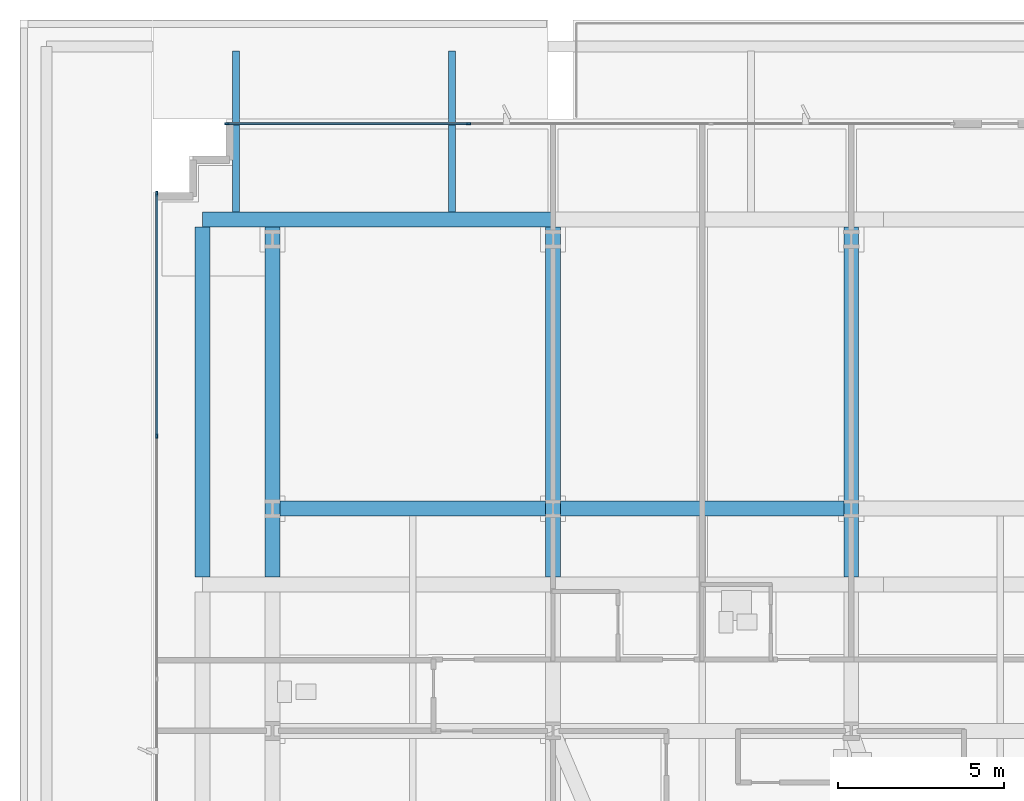
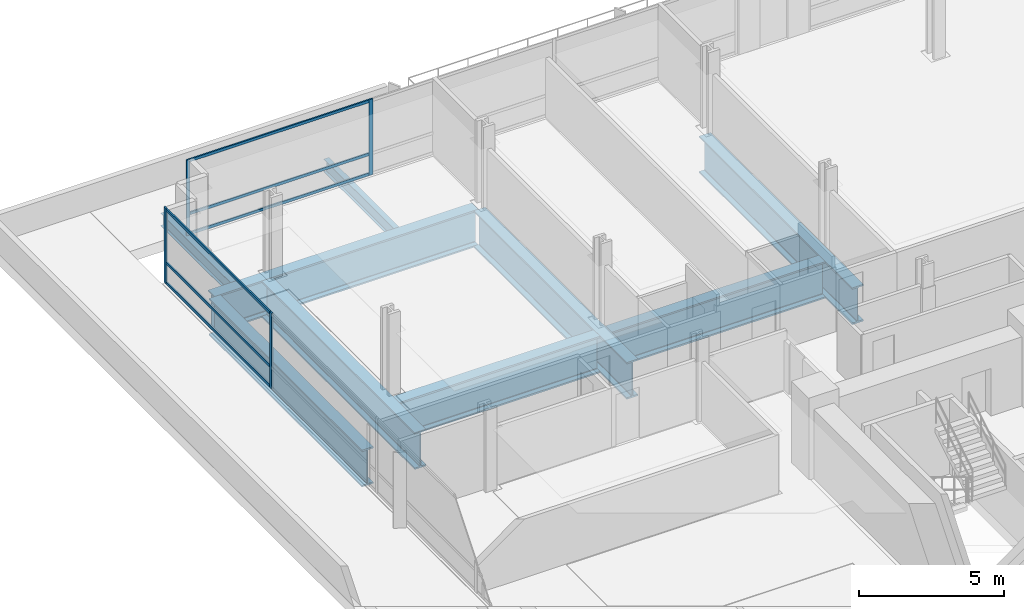
# One storey, part 11 of 25: 10 members, 9 beams, 2 elements without a shape of their own.
"""IFC4 building model written with IfcOpenShell, lengths in metres."""

from ifc_helpers import new_model, si_unit, direction, frame, origin, origin_2d, place, context, subcontext, project, spatial, rectangle, i_section, extrude, material, material_profile, profile_set, type_object, element, aggregate, save


model = new_model("IFC4")

# Units and contexts
model_context = context("Model", 3, precision=1e-05, world=origin(), true_north=direction((0.0, 1.0)))
body_context = subcontext(model_context, "Body", "Model", "MODEL_VIEW")
ifc_project = project(units=[si_unit("LENGTHUNIT", "METRE"), si_unit("AREAUNIT", "SQUARE_METRE"), si_unit("VOLUMEUNIT", "CUBIC_METRE"), si_unit("PLANEANGLEUNIT", "RADIAN"), si_unit("MASSUNIT", "GRAM", prefix="KILO")], contexts=[model_context])

# Site, building, storey
site_placement = place(None, origin())
site = spatial("IfcSite", under=ifc_project, at=site_placement, CompositionType="ELEMENT")
building_placement = place(site_placement, origin())
building = spatial("IfcBuilding", under=site, at=building_placement, Name="Solmavex Isthmus Hotel", CompositionType="ELEMENT")
storey_placement = place(building_placement, frame((0.0, 0.0, 26.39990234375)))
storey = spatial("IfcBuildingStorey", under=building, at=storey_placement, Name="L06", CompositionType="ELEMENT", Elevation=26.39990234375)

# Beams
ifc_material_1 = material(Name="Steel ASTM A992 Grade 50", Category="steel")
ifc_material_profile_1 = material_profile(ifc_material_1, i_section(OverallWidth=0.21240234375, OverallDepth=0.544189453125, WebThickness=0.01318359375, FlangeThickness=0.021240234375, FilletRadius=0.013916015625, at=origin_2d()), Name="W21X83")
ifc_profile_set_1 = profile_set([ifc_material_profile_1], Name="Steel ASTM A992 Grade 50")
beam_type_1 = type_object("IfcBeamType", Name="BM-BM-W21X83", PredefinedType="BEAM", material=ifc_profile_set_1)
for number, where, z_axis, x_axis, name in (
    (1, (-27.5, 17.72509765625, -0.72216796875), (0.0, 1.0, 0.0), (-1.0, 0.0, 0.0), "Podium Roof Terrace Framing Beam PRN-01"),
    (2, (-21.0, 17.72509765625, -0.72216796875), (0.0, 1.0, 0.0), (-1.0, 0.0, 0.0), "Podium Roof Terrace Framing Beam PRN-02"),
):
    element("IfcBeam", number, at=place(storey_placement, frame(where, z_axis=z_axis, x_axis=x_axis)), inside=storey, type_object=beam_type_1, Name=name, PredefinedType="BEAM", context=body_context, shape_type="SweptSolid", body=[
        extrude(i_section(OverallWidth=0.21240234375, OverallDepth=0.544189453125, WebThickness=0.01318359375, FlangeThickness=0.021240234375, FilletRadius=0.013916015625, at=origin_2d()), origin(), (0.0, 0.0, 1.0), 4.8349609375),
    ])
ifc_material_2 = material(Name="Steel ASTM A572 Grade 50", Category="steel")
ifc_material_profile_2 = material_profile(ifc_material_2, i_section(OverallWidth=0.449951171875, OverallDepth=1.550048828125, WebThickness=0.031982421875, FlangeThickness=0.06494140625, FilletRadius=0.030517578125, at=origin_2d()), Name="I1550X450")
ifc_profile_set_2 = profile_set([ifc_material_profile_2], Name="Steel ASTM A572 Grade 50")
beam_type_2 = type_object("IfcBeamType", Name="BM-TB-G1550", PredefinedType="BEAM", material=ifc_profile_set_2)
beam_1_placement = place(storey_placement, frame((-28.5, 17.5, -1.224853515625), z_axis=(1.0, 0.0, 0.0), x_axis=(0.0, 1.0, 0.0)))
element("IfcBeam", 3, at=beam_1_placement, inside=storey, type_object=beam_type_2, Name="Podium-to-Tower Mega Transfer Girder L06-MG10", PredefinedType="BEAM", context=body_context, shape_type="SweptSolid", body=[
    extrude(i_section(OverallWidth=0.449951171875, OverallDepth=1.550048828125, WebThickness=0.031982421875, FlangeThickness=0.06494140625, FilletRadius=0.030517578125, at=origin_2d()), origin(), (0.0, 0.0, 1.0), 10.5),
])
for number, where, z_axis, x_axis, name in (
    (4, (-28.5, 6.72509765625, -1.224853515625), (0.0, 1.0, 0.0), (-1.0, 0.0, 0.0), "Podium-to-Tower Mega Transfer Girder L06-MG21"),
    (5, (-26.39990234375, 6.72509765625, -1.224853515625), (0.0, 1.0, 0.0), (-1.0, 0.0, 0.0), "Tower Column Root Transfer Girder L06-MNS1C"),
    (6, (-17.951904296875, 6.72509765625, -1.224853515625), (0.0, 1.0, 0.0), (-1.0, 0.0, 0.0), "Tower Column Root Transfer Girder L06-MNS2C"),
    (7, (-8.97607421875, 6.72509765625, -1.224853515625), (0.0, 1.0, 0.0), (-1.0, 0.0, 0.0), "Tower Column Root Transfer Girder L06-MNS3C"),
):
    element("IfcBeam", number, at=place(storey_placement, frame(where, z_axis=z_axis, x_axis=x_axis)), inside=storey, type_object=beam_type_2, Name=name, PredefinedType="BEAM", context=body_context, shape_type="SweptSolid", body=[
        extrude(i_section(OverallWidth=0.449951171875, OverallDepth=1.550048828125, WebThickness=0.031982421875, FlangeThickness=0.06494140625, FilletRadius=0.030517578125, at=origin_2d()), origin(), (0.0, 0.0, 1.0), 10.5498046875),
    ])
beam_2_placement = place(storey_placement, frame((-26.175048828125, 8.7880859375, -1.224853515625), z_axis=(1.0, 0.0, 0.0), x_axis=(0.0, 1.0, 0.0)))
element("IfcBeam", 8, at=beam_2_placement, inside=storey, type_object=beam_type_2, Name="Outrigger Collector Girder L06-UG13", PredefinedType="BEAM", context=body_context, shape_type="SweptSolid", body=[
    extrude(i_section(OverallWidth=0.449951171875, OverallDepth=1.550048828125, WebThickness=0.031982421875, FlangeThickness=0.06494140625, FilletRadius=0.030517578125, at=origin_2d()), origin(), (0.0, 0.0, 1.0), 7.998046875),
])
beam_3_placement = place(storey_placement, frame((-17.72705078125, 8.7880859375, -1.224853515625), z_axis=(1.0, 0.0, 0.0), x_axis=(0.0, 1.0, 0.0)))
element("IfcBeam", 9, at=beam_3_placement, inside=storey, type_object=beam_type_2, Name="Outrigger Collector Girder L06-UG14", PredefinedType="BEAM", context=body_context, shape_type="SweptSolid", body=[
    extrude(i_section(OverallWidth=0.449951171875, OverallDepth=1.550048828125, WebThickness=0.031982421875, FlangeThickness=0.06494140625, FilletRadius=0.030517578125, at=origin_2d()), origin(), (0.0, 0.0, 1.0), 8.526123046875),
])

# Curtain wall, members
ifc_material_3 = material(Name="Aluminium alloy 6063-T6", Category="aluminium")
curtain_wall_type = type_object("IfcCurtainWallType", Name="CW-SYS-06", PredefinedType="NOTDEFINED", material=ifc_material_3)
curtain_wall_1_placement = place(storey_placement, origin())
curtain_wall_1 = element("IfcCurtainWall", 10, at=curtain_wall_1_placement, inside=storey, type_object=curtain_wall_type, Name="Stick Curtain Wall CWL-L06-N1", PredefinedType="NOTDEFINED")
ifc_material_profile_3 = material_profile(ifc_material_3, rectangle(XDim=0.06005859375, YDim=0.139892578125, at=origin_2d()), Name="CWM-60X140")
ifc_profile_set_3 = profile_set([ifc_material_profile_3], Name="Aluminium alloy 6063-T6")
member_type_1 = type_object("IfcMemberType", Name="CW-SYS-06-MUL", PredefinedType="MULLION", material=ifc_profile_set_3)
member_1_placement = place(storey_placement, frame((-27.77001953125, 20.3798828125, 0.0), z_axis=(0.0, 0.0, 1.0), x_axis=(0.0, 1.0, 0.0)))
member_1 = element("IfcMember", 11, at=member_1_placement, type_object=member_type_1, Name="CW-06 mullion 1", PredefinedType="MULLION", context=body_context, shape_type="SweptSolid", body=[
    extrude(rectangle(XDim=0.06005859375, YDim=0.139892578125, at=origin_2d()), origin(), (0.0, 0.0, 1.0), 3.190185546875),
])
member_2_placement = place(storey_placement, frame((-20.5, 20.3798828125, 0.0), z_axis=(0.0, 0.0, 1.0), x_axis=(0.0, 1.0, 0.0)))
member_2 = element("IfcMember", 12, at=member_2_placement, type_object=member_type_1, Name="CW-06 mullion 2", PredefinedType="MULLION", context=body_context, shape_type="SweptSolid", body=[
    extrude(rectangle(XDim=0.06005859375, YDim=0.139892578125, at=origin_2d()), origin(), (0.0, 0.0, 1.0), 3.190185546875),
])

curtain_wall_2_placement = place(storey_placement, origin())
curtain_wall_2 = element("IfcCurtainWall", 13, at=curtain_wall_2_placement, inside=storey, type_object=curtain_wall_type, Name="Stick Curtain Wall CWL-L06-W1", PredefinedType="NOTDEFINED")
member_3_placement = place(storey_placement, frame((-29.8798828125, 10.97998046875, 0.0), z_axis=(0.0, 0.0, 1.0), x_axis=(-1.0, 0.0, 0.0)))
member_3 = element("IfcMember", 14, at=member_3_placement, type_object=member_type_1, Name="CW-06 mullion 5", PredefinedType="MULLION", context=body_context, shape_type="SweptSolid", body=[
    extrude(rectangle(XDim=0.06005859375, YDim=0.139892578125, at=origin_2d()), origin(), (0.0, 0.0, 1.0), 3.190185546875),
])
member_4_placement = place(storey_placement, frame((-29.8798828125, 18.27001953125, 0.0), z_axis=(0.0, 0.0, 1.0), x_axis=(-1.0, 0.0, 0.0)))
member_4 = element("IfcMember", 15, at=member_4_placement, type_object=member_type_1, Name="CW-06 mullion 6", PredefinedType="MULLION", context=body_context, shape_type="SweptSolid", body=[
    extrude(rectangle(XDim=0.06005859375, YDim=0.139892578125, at=origin_2d()), origin(), (0.0, 0.0, 1.0), 3.190185546875),
])

# Member
ifc_material_profile_4 = material_profile(ifc_material_3, rectangle(XDim=0.06005859375, YDim=0.114990234375, at=origin_2d()), Name="CWT-60X115")
ifc_profile_set_4 = profile_set([ifc_material_profile_4], Name="Aluminium alloy 6063-T6")
member_type_2 = type_object("IfcMemberType", Name="CW-SYS-06-TRN", PredefinedType="USERDEFINED", material=ifc_profile_set_4)
member_5_placement = place(storey_placement, frame((-27.739990234375, 20.3798828125, 0.0576171875), z_axis=(1.0, 0.0, 0.0), x_axis=(0.0, 1.0, 0.0)))
member_5 = element("IfcMember", 16, at=member_5_placement, type_object=member_type_2, Name="CW-06 transom 1.1", ObjectType="TRANSOM", PredefinedType="USERDEFINED", context=body_context, shape_type="SweptSolid", body=[
    extrude(rectangle(XDim=0.06005859375, YDim=0.114990234375, at=origin_2d()), origin(), (0.0, 0.0, 1.0), 7.2099609375),
])

member_6_placement = place(storey_placement, frame((-27.739990234375, 20.3798828125, 0.900146484375), z_axis=(1.0, 0.0, 0.0), x_axis=(0.0, 1.0, 0.0)))
member_6 = element("IfcMember", 17, at=member_6_placement, type_object=member_type_2, Name="CW-06 transom 1.2", ObjectType="TRANSOM", PredefinedType="USERDEFINED", context=body_context, shape_type="SweptSolid", body=[
    extrude(rectangle(XDim=0.06005859375, YDim=0.114990234375, at=origin_2d()), origin(), (0.0, 0.0, 1.0), 7.2099609375),
])

member_7_placement = place(storey_placement, frame((-27.739990234375, 20.3798828125, 3.132568359375), z_axis=(1.0, 0.0, 0.0), x_axis=(0.0, 1.0, 0.0)))
member_7 = element("IfcMember", 18, at=member_7_placement, type_object=member_type_2, Name="CW-06 transom 1.3", ObjectType="TRANSOM", PredefinedType="USERDEFINED", context=body_context, shape_type="SweptSolid", body=[
    extrude(rectangle(XDim=0.06005859375, YDim=0.114990234375, at=origin_2d()), origin(), (0.0, 0.0, 1.0), 7.2099609375),
])

aggregate(curtain_wall_1, [member_1, member_2, member_5, member_6, member_7])

member_8_placement = place(storey_placement, frame((-29.8798828125, 11.010009765625, 0.0576171875), z_axis=(0.0, 1.0, 0.0), x_axis=(-1.0, 0.0, 0.0)))
member_8 = element("IfcMember", 19, at=member_8_placement, type_object=member_type_2, Name="CW-06 transom 5.1", ObjectType="TRANSOM", PredefinedType="USERDEFINED", context=body_context, shape_type="SweptSolid", body=[
    extrude(rectangle(XDim=0.06005859375, YDim=0.114990234375, at=origin_2d()), origin(), (0.0, 0.0, 1.0), 7.22998046875),
])

member_9_placement = place(storey_placement, frame((-29.8798828125, 11.010009765625, 0.900146484375), z_axis=(0.0, 1.0, 0.0), x_axis=(-1.0, 0.0, 0.0)))
member_9 = element("IfcMember", 20, at=member_9_placement, type_object=member_type_2, Name="CW-06 transom 5.2", ObjectType="TRANSOM", PredefinedType="USERDEFINED", context=body_context, shape_type="SweptSolid", body=[
    extrude(rectangle(XDim=0.06005859375, YDim=0.114990234375, at=origin_2d()), origin(), (0.0, 0.0, 1.0), 7.22998046875),
])

member_10_placement = place(storey_placement, frame((-29.8798828125, 11.010009765625, 3.132568359375), z_axis=(0.0, 1.0, 0.0), x_axis=(-1.0, 0.0, 0.0)))
member_10 = element("IfcMember", 21, at=member_10_placement, type_object=member_type_2, Name="CW-06 transom 5.3", ObjectType="TRANSOM", PredefinedType="USERDEFINED", context=body_context, shape_type="SweptSolid", body=[
    extrude(rectangle(XDim=0.06005859375, YDim=0.114990234375, at=origin_2d()), origin(), (0.0, 0.0, 1.0), 7.22998046875),
])

aggregate(curtain_wall_2, [member_3, member_4, member_8, member_9, member_10])

save(model, "model.ifc")
